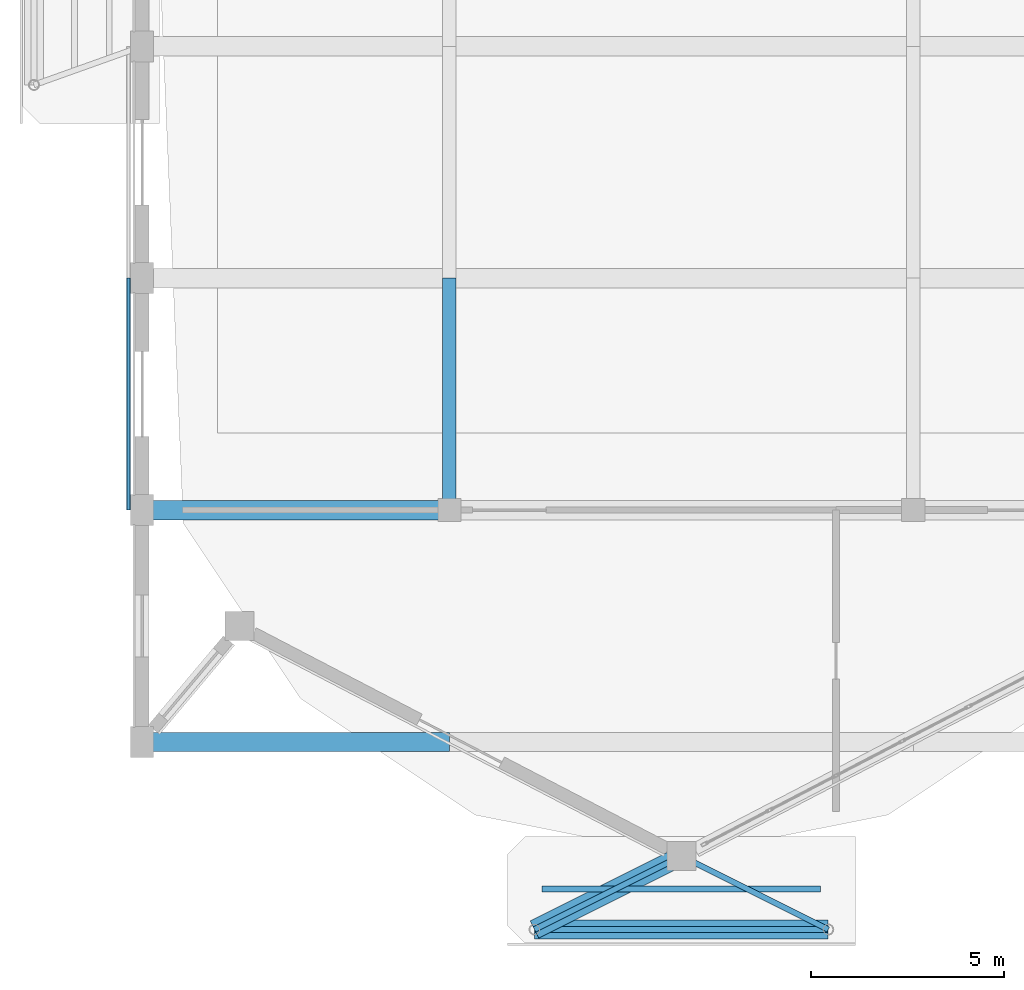
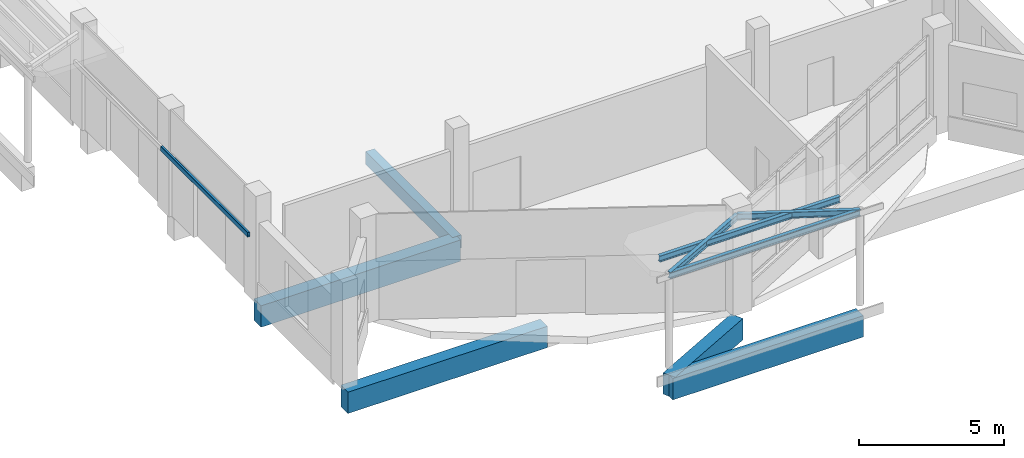
# One storey, part 18 of 129: 9 beams, 1 member.
"""IFC4 building model written with IfcOpenShell, lengths in metres."""

from ifc_helpers import new_model, si_unit, direction, frame, origin, origin_2d, place, context, subcontext, project, spatial, rectangle, hollow_rectangle, i_section, extrude, material, material_profile, profile_set, type_object, element, save


model = new_model("IFC4")

# Units and contexts
model_context = context("Model", 3, precision=1e-05, world=origin(), true_north=direction((0.0, 1.0)))
body_context = subcontext(model_context, "Body", "Model", "MODEL_VIEW")
ifc_project = project(units=[si_unit("LENGTHUNIT", "METRE"), si_unit("AREAUNIT", "SQUARE_METRE"), si_unit("VOLUMEUNIT", "CUBIC_METRE"), si_unit("PLANEANGLEUNIT", "RADIAN"), si_unit("MASSUNIT", "GRAM", prefix="KILO")], contexts=[model_context])

# Site, building, storey
site_placement = place(None, origin())
site = spatial("IfcSite", under=ifc_project, at=site_placement, CompositionType="ELEMENT")
building_placement = place(site_placement, origin())
building = spatial("IfcBuilding", under=site, at=building_placement, Name="Vespera Passage Community Centre", CompositionType="ELEMENT")
storey_placement = place(building_placement, origin())
storey = spatial("IfcBuildingStorey", under=building, at=storey_placement, Name="L00", CompositionType="ELEMENT", Elevation=0.0)

# Beams
ifc_material_1 = material(Name="Steel ASTM A992 Grade 50", Category="steel")
ifc_material_profile_1 = material_profile(ifc_material_1, i_section(OverallWidth=0.146484375, OverallDepth=0.26171875, WebThickness=0.006591796875, FlangeThickness=0.01123046875, FilletRadius=0.007568359375, at=origin_2d()), Name="W10X26")
ifc_profile_set_1 = profile_set([ifc_material_profile_1], Name="Steel ASTM A992 Grade 50")
beam_type_1 = type_object("IfcBeamType", Name="BM-EC1-CANT", PredefinedType="BEAM", material=ifc_profile_set_1)
beam_1_placement = place(storey_placement, frame((14.199951171875, 2.14990234375, 3.879150390625), z_axis=(1.0, 0.0, 0.0), x_axis=(0.0, 1.0, 0.0)))
element("IfcBeam", 1, at=beam_1_placement, inside=storey, type_object=beam_type_1, Name="EC2 South Edge Beam", PredefinedType="BEAM", context=body_context, shape_type="SweptSolid", body=[
    extrude(i_section(OverallWidth=0.146484375, OverallDepth=0.26171875, WebThickness=0.006591796875, FlangeThickness=0.01123046875, FilletRadius=0.007568359375, at=origin_2d()), origin(), (0.0, 0.0, 1.0), 7.60009765625),
])
for number, where, z_axis, x_axis, name in (
    (2, (14.199951171875, 2.14990234375, 3.879150390625), (0.894415698052, 0.447236580658, 0.0), (-0.447236580658, 0.894415698052, 0.0), "EC2 West Tie Beam"),
    (3, (21.800048828125, 2.14990234375, 3.879150390625), (-0.894415698052, 0.447236580658, 0.0), (-0.447236580658, -0.894415698052, 0.0), "EC2 East Tie Beam"),
):
    element("IfcBeam", number, at=place(storey_placement, frame(where, z_axis=z_axis, x_axis=x_axis)), inside=storey, type_object=beam_type_1, Name=name, PredefinedType="BEAM", context=body_context, shape_type="SweptSolid", body=[
        extrude(i_section(OverallWidth=0.146484375, OverallDepth=0.26171875, WebThickness=0.006591796875, FlangeThickness=0.01123046875, FilletRadius=0.007568359375, at=origin_2d()), origin(), (0.0, 0.0, 1.0), 4.24853515625),
    ])
ifc_material_2 = material(Name="Concrete f'c 45 MPa", Category="concrete")
ifc_material_profile_2 = material_profile(ifc_material_2, rectangle(XDim=0.5, YDim=0.89990234375, at=origin_2d()), Name="RC500X900")
ifc_profile_set_2 = profile_set([ifc_material_profile_2], Name="Concrete f'c 45 MPa")
beam_type_2 = type_object("IfcBeamType", Name="BM-G-500X900", PredefinedType="BEAM", material=ifc_profile_set_2)
for number, where, z_axis, x_axis, name in (
    (4, (4.050048828125, 7.0, -0.75), (1.0, 0.0, 0.0), (0.0, 1.0, 0.0), "V1 L00 Floor Girder 1.1"),
    (5, (4.050048828125, 13.0, -0.75), (1.0, 0.0, 0.0), (0.0, 1.0, 0.0), "V1 L00 Floor Girder 2.1"),
):
    element("IfcBeam", number, at=place(storey_placement, frame(where, z_axis=z_axis, x_axis=x_axis)), inside=storey, type_object=beam_type_2, Name=name, PredefinedType="BEAM", context=body_context, shape_type="SweptSolid", body=[
        extrude(rectangle(XDim=0.5, YDim=0.89990234375, at=origin_2d()), origin(), (0.0, 0.0, 1.0), 7.949951171875),
    ])
beam_2_placement = place(storey_placement, frame((14.199951171875, 2.14990234375, -0.7900390625), z_axis=(1.0, 0.0, 0.0), x_axis=(0.0, 1.0, 0.0)))
element("IfcBeam", 6, at=beam_2_placement, inside=storey, type_object=beam_type_2, Name="EC2 Grade Tie", PredefinedType="BEAM", context=body_context, shape_type="SweptSolid", body=[
    extrude(rectangle(XDim=0.5, YDim=0.89990234375, at=origin_2d()), origin(), (0.0, 0.0, 1.0), 7.60009765625),
])
beam_3_placement = place(storey_placement, frame((14.199951171875, 2.14990234375, -0.7900390625), z_axis=(0.894415698052, 0.447236580658, 0.0), x_axis=(-0.447236580658, 0.894415698052, 0.0)))
element("IfcBeam", 7, at=beam_3_placement, inside=storey, type_object=beam_type_2, Name="EC2 Subgrade Tie", PredefinedType="BEAM", context=body_context, shape_type="SweptSolid", body=[
    extrude(rectangle(XDim=0.5, YDim=0.89990234375, at=origin_2d()), origin(), (0.0, 0.0, 1.0), 4.24853515625),
])
ifc_material_3 = material(Name="Concrete f'c 35 MPa", Category="concrete")
ifc_material_profile_3 = material_profile(ifc_material_3, rectangle(XDim=0.35009765625, YDim=0.550048828125, at=origin_2d()), Name="RC350X550")
ifc_profile_set_3 = profile_set([ifc_material_profile_3], Name="Concrete f'c 35 MPa")
beam_type_3 = type_object("IfcBeamType", Name="BM-J-350X550", PredefinedType="JOIST", material=ifc_profile_set_3)
beam_4_placement = place(storey_placement, frame((12.0, 13.0, -0.574951171875), z_axis=(0.0, 1.0, 0.0), x_axis=(-1.0, 0.0, 0.0)))
element("IfcBeam", 8, at=beam_4_placement, inside=storey, type_object=beam_type_3, Name="V1 L00 Spine Beam 1.1", PredefinedType="JOIST", context=body_context, shape_type="SweptSolid", body=[
    extrude(rectangle(XDim=0.35009765625, YDim=0.550048828125, at=origin_2d()), origin(), (0.0, 0.0, 1.0), 6.0),
])
ifc_material_4 = material(Name="Steel ASTM A500 Grade C", Category="steel")
ifc_material_profile_4 = material_profile(ifc_material_4, hollow_rectangle(XDim=0.1015625, YDim=0.203125, WallThickness=0.0087890625, InnerFilletRadius=0.0087890625, OuterFilletRadius=0.017822265625, at=origin_2d()), Name="HSS203X102X9.5")
ifc_profile_set_4 = profile_set([ifc_material_profile_4], Name="Steel ASTM A500 Grade C")
beam_type_4 = type_object("IfcBeamType", Name="BM-LN-HSS203X102E", PredefinedType="LINTEL", material=ifc_profile_set_4)
beam_5_placement = place(storey_placement, frame((3.699951171875, 13.0, 2.679931640625), z_axis=(0.0, 1.0, 0.0), x_axis=(-1.0, 0.0, 0.0)))
element("IfcBeam", 9, at=beam_5_placement, inside=storey, type_object=beam_type_4, Name="Main Hall Exit Canopy Lintel W2", PredefinedType="LINTEL", context=body_context, shape_type="SweptSolid", body=[
    extrude(hollow_rectangle(XDim=0.1015625, YDim=0.203125, WallThickness=0.0087890625, InnerFilletRadius=0.0087890625, OuterFilletRadius=0.017822265625, at=origin_2d()), origin(), (0.0, 0.0, 1.0), 6.0),
])

# Member
ifc_material_5 = material(Name="Steel ASTM A992 Grade 50", Category="steel")
ifc_material_profile_5 = material_profile(ifc_material_5, i_section(OverallWidth=0.146484375, OverallDepth=0.26171875, WebThickness=0.006591796875, FlangeThickness=0.01123046875, FilletRadius=0.007568359375, at=origin_2d()), Name="W10X26")
ifc_profile_set_5 = profile_set([ifc_material_profile_5], Name="Steel ASTM A992 Grade 50")
member_type = type_object("IfcMemberType", Name="MB-PR-W10X26E", PredefinedType="PURLIN", material=ifc_profile_set_5)
member_placement = place(storey_placement, frame((14.39990234375, 3.199951171875, 3.879150390625), z_axis=(1.0, 0.0, 0.0), x_axis=(0.0, 1.0, 0.0)))
element("IfcMember", 10, at=member_placement, inside=storey, type_object=member_type, Name="EC2 Canopy Purlin 1", PredefinedType="PURLIN", context=body_context, shape_type="SweptSolid", body=[
    extrude(i_section(OverallWidth=0.146484375, OverallDepth=0.26171875, WebThickness=0.006591796875, FlangeThickness=0.01123046875, FilletRadius=0.007568359375, at=origin_2d()), origin(), (0.0, 0.0, 1.0), 7.2001953125),
])

save(model, "model.ifc")
